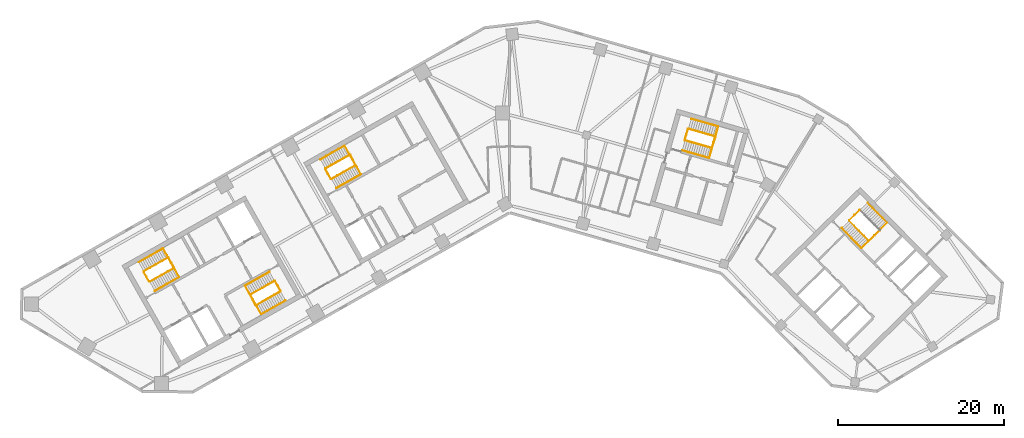
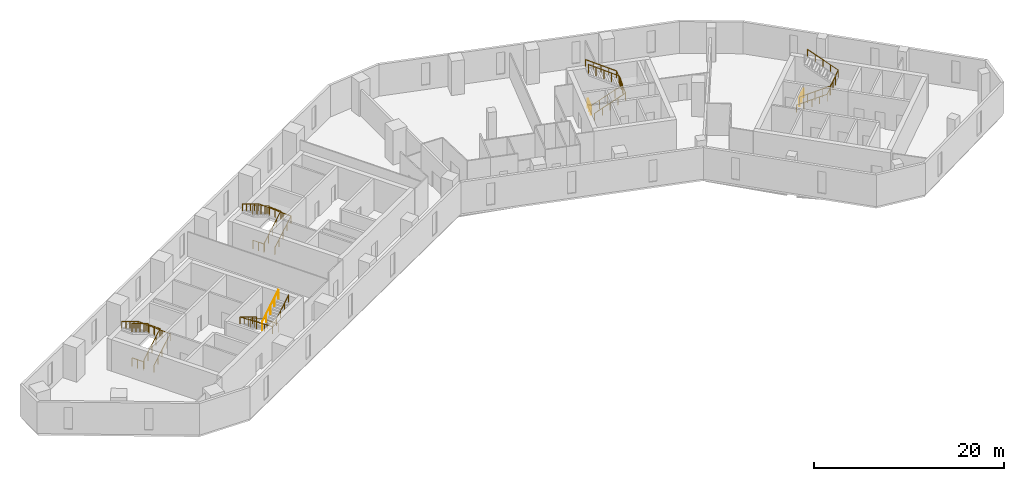
# One storey, part 9 of 10: 19 railings.
"""IFC4 building model written with IfcOpenShell, lengths in metres."""

from ifc_helpers import new_model, si_unit, direction, frame, origin, origin_2d, place, context, subcontext, project, spatial, circle, extrude, material, type_object, element, save


model = new_model("IFC4")

# Units and contexts
model_context = context("Model", 3, precision=1e-05, world=origin(), true_north=direction((0.0, 1.0)))
body_context = subcontext(model_context, "Body", "Model", "MODEL_VIEW")
ifc_project = project(units=[si_unit("LENGTHUNIT", "METRE"), si_unit("AREAUNIT", "SQUARE_METRE"), si_unit("VOLUMEUNIT", "CUBIC_METRE"), si_unit("PLANEANGLEUNIT", "RADIAN"), si_unit("MASSUNIT", "GRAM", prefix="KILO")], contexts=[model_context])

# Site, building, storey
site_placement = place(None, origin())
site = spatial("IfcSite", under=ifc_project, at=site_placement, CompositionType="ELEMENT")
building_placement = place(site_placement, origin())
building = spatial("IfcBuilding", under=site, at=building_placement, Name="Binnacle Exchange Tower", CompositionType="ELEMENT")
storey_placement = place(building_placement, frame((0.0, 0.0, 101.5)))
storey = spatial("IfcBuildingStorey", under=building, at=storey_placement, Name="L20", CompositionType="ELEMENT", Elevation=101.5)

# Railings
ifc_material_1 = material(Name="Steel guard rail", Category="steel")
railing_type_1 = type_object("IfcRailingType", Name="STAIR GUARD 1100", PredefinedType="GUARDRAIL", material=ifc_material_1)
railing_1_placement = place(storey_placement, frame((-43.26171875, 39.71728515625, 0.169189453125)))
element("IfcRailing", 1, at=railing_1_placement, inside=storey, type_object=railing_type_1, Name="L20 STA1 stair guard 1", PredefinedType="GUARDRAIL", context=body_context, shape_type="SweptSolid", body=[
    extrude(circle(Radius=0.02392578125, at=origin_2d()), frame((0.0, 0.0, 1.076171875), z_axis=(0.744867460262, 0.421436531824, 0.517265614832), x_axis=(-0.492433119026, 0.870350287693, 0.0)), (0.0, 0.0, 1.0), 3.926025390625),
    extrude(circle(Radius=0.02392578125, at=origin_2d()), frame((2.92431640625, 1.654541015625, 3.10693359375), z_axis=(-0.460963092712, 0.887419307406, 0.0), x_axis=(-0.887419307406, -0.460963092712, 0.0)), (0.0, 0.0, 1.0), 1.40087890625),
    extrude(circle(Radius=0.02099609375, at=origin_2d()), origin(), (0.0, 0.0, 1.0), 1.052001953125),
    extrude(circle(Radius=0.02099609375, at=origin_2d()), frame((0.73095703125, 0.41357421875, 0.5078125)), (0.0, 0.0, 1.0), 1.052001953125),
    extrude(circle(Radius=0.02099609375, at=origin_2d()), frame((1.462158203125, 0.8271484375, 1.015380859375)), (0.0, 0.0, 1.0), 1.052001953125),
    extrude(circle(Radius=0.02099609375, at=origin_2d()), frame((2.193359375, 1.240966796875, 1.52294921875)), (0.0, 0.0, 1.0), 1.052001953125),
    extrude(circle(Radius=0.02099609375, at=origin_2d()), frame((2.92431640625, 1.654541015625, 2.03076171875)), (0.0, 0.0, 1.0), 1.052001953125),
    extrude(circle(Radius=0.02099609375, at=origin_2d()), frame((2.6015625, 2.276123046875, 2.03076171875)), (0.0, 0.0, 1.0), 1.052001953125),
    extrude(circle(Radius=0.02099609375, at=origin_2d()), frame((2.278564453125, 2.897705078125, 2.03076171875)), (0.0, 0.0, 1.0), 1.052001953125),
])
railing_2_placement = place(storey_placement, frame((-41.05126953125, 42.6337890625, 2.369140625)))
element("IfcRailing", 2, at=railing_2_placement, inside=storey, type_object=railing_type_1, Name="L20 STA1 stair guard 2", PredefinedType="GUARDRAIL", context=body_context, shape_type="SweptSolid", body=[
    extrude(circle(Radius=0.02392578125, at=origin_2d()), frame((0.0, 0.0, 1.076171875), z_axis=(-0.744895141965, -0.421417011194, 0.517241655469), x_axis=(0.49240197835, -0.870367905955, 0.0)), (0.0, 0.0, 1.0), 3.926025390625),
    extrude(circle(Radius=0.02099609375, at=origin_2d()), origin(), (0.0, 0.0, 1.0), 1.052001953125),
    extrude(circle(Radius=0.02099609375, at=origin_2d()), frame((-0.731201171875, -0.41357421875, 0.5078125)), (0.0, 0.0, 1.0), 1.052001953125),
    extrude(circle(Radius=0.02099609375, at=origin_2d()), frame((-1.46240234375, -0.8271484375, 1.015380859375)), (0.0, 0.0, 1.0), 1.052001953125),
    extrude(circle(Radius=0.02099609375, at=origin_2d()), frame((-2.193359375, -1.240966796875, 1.52294921875)), (0.0, 0.0, 1.0), 1.052001953125),
    extrude(circle(Radius=0.02099609375, at=origin_2d()), frame((-2.924560546875, -1.654541015625, 2.03076171875)), (0.0, 0.0, 1.0), 1.052001953125),
])
railing_3_placement = place(storey_placement, frame((-43.329833984375, 39.736328125, 0.0)))
element("IfcRailing", 3, at=railing_3_placement, inside=storey, type_object=railing_type_1, Name="L20 STA1 stair guard 3", PredefinedType="GUARDRAIL", context=body_context, shape_type="SweptSolid", body=[
    extrude(circle(Radius=0.02392578125, at=origin_2d()), frame((0.0, 0.0, 1.076171875), z_axis=(-0.4924922531, 0.870316827734, 0.0), x_axis=(-0.870316827734, -0.4924922531, 0.0)), (0.0, 0.0, 1.0), 1.349853515625),
    extrude(circle(Radius=0.02099609375, at=origin_2d()), origin(), (0.0, 0.0, 1.0), 1.052001953125),
    extrude(circle(Radius=0.02099609375, at=origin_2d()), frame((-0.33251953125, 0.58740234375, 0.0)), (0.0, 0.0, 1.0), 1.052001953125),
    extrude(circle(Radius=0.02099609375, at=origin_2d()), frame((-0.664794921875, 1.1748046875, 0.0)), (0.0, 0.0, 1.0), 1.052001953125),
])
railing_4_placement = place(storey_placement, frame((-28.265380859375, 39.814453125, 0.169189453125)))
element("IfcRailing", 4, at=railing_4_placement, inside=storey, type_object=railing_type_1, Name="L20 STA2 stair guard 1", PredefinedType="GUARDRAIL", context=body_context, shape_type="SweptSolid", body=[
    extrude(circle(Radius=0.02392578125, at=origin_2d()), frame((0.0, 0.0, 1.076171875), z_axis=(-0.744895141965, -0.421417011194, 0.517241655469), x_axis=(0.49240197835, -0.870367905955, 0.0)), (0.0, 0.0, 1.0), 3.926025390625),
    extrude(circle(Radius=0.02392578125, at=origin_2d()), frame((-2.924560546875, -1.654541015625, 3.10693359375), z_axis=(0.461100321709, -0.887348011391, 0.0), x_axis=(0.887348011391, 0.461100321709, 0.0)), (0.0, 0.0, 1.0), 1.40087890625),
    extrude(circle(Radius=0.02099609375, at=origin_2d()), origin(), (0.0, 0.0, 1.0), 1.052001953125),
    extrude(circle(Radius=0.02099609375, at=origin_2d()), frame((-0.731201171875, -0.41357421875, 0.5078125)), (0.0, 0.0, 1.0), 1.052001953125),
    extrude(circle(Radius=0.02099609375, at=origin_2d()), frame((-1.46240234375, -0.8271484375, 1.015380859375)), (0.0, 0.0, 1.0), 1.052001953125),
    extrude(circle(Radius=0.02099609375, at=origin_2d()), frame((-2.193359375, -1.240966796875, 1.52294921875)), (0.0, 0.0, 1.0), 1.052001953125),
    extrude(circle(Radius=0.02099609375, at=origin_2d()), frame((-2.924560546875, -1.654541015625, 2.03076171875)), (0.0, 0.0, 1.0), 1.052001953125),
    extrude(circle(Radius=0.02099609375, at=origin_2d()), frame((-2.6015625, -2.276123046875, 2.03076171875)), (0.0, 0.0, 1.0), 1.052001953125),
    extrude(circle(Radius=0.02099609375, at=origin_2d()), frame((-2.278564453125, -2.897705078125, 2.03076171875)), (0.0, 0.0, 1.0), 1.052001953125),
])
railing_5_placement = place(storey_placement, frame((-30.475830078125, 36.89794921875, 2.369140625)))
element("IfcRailing", 5, at=railing_5_placement, inside=storey, type_object=railing_type_1, Name="L20 STA2 stair guard 2", PredefinedType="GUARDRAIL", context=body_context, shape_type="SweptSolid", body=[
    extrude(circle(Radius=0.02392578125, at=origin_2d()), frame((0.0, 0.0, 1.076171875), z_axis=(0.744867460262, 0.421436531824, 0.517265614832), x_axis=(-0.492433119026, 0.870350287693, 0.0)), (0.0, 0.0, 1.0), 3.926025390625),
    extrude(circle(Radius=0.02099609375, at=origin_2d()), origin(), (0.0, 0.0, 1.0), 1.052001953125),
    extrude(circle(Radius=0.02099609375, at=origin_2d()), frame((0.73095703125, 0.41357421875, 0.5078125)), (0.0, 0.0, 1.0), 1.052001953125),
    extrude(circle(Radius=0.02099609375, at=origin_2d()), frame((1.462158203125, 0.8271484375, 1.015380859375)), (0.0, 0.0, 1.0), 1.052001953125),
    extrude(circle(Radius=0.02099609375, at=origin_2d()), frame((2.193359375, 1.240966796875, 1.52294921875)), (0.0, 0.0, 1.0), 1.052001953125),
    extrude(circle(Radius=0.02099609375, at=origin_2d()), frame((2.92431640625, 1.654541015625, 2.03076171875)), (0.0, 0.0, 1.0), 1.052001953125),
])
railing_6_placement = place(storey_placement, frame((-28.197265625, 39.795654296875, 0.0)))
element("IfcRailing", 6, at=railing_6_placement, inside=storey, type_object=railing_type_1, Name="L20 STA2 stair guard 3", PredefinedType="GUARDRAIL", context=body_context, shape_type="SweptSolid", body=[
    extrude(circle(Radius=0.02392578125, at=origin_2d()), frame((0.0, 0.0, 1.076171875), z_axis=(0.49241474071, -0.870360685654, 0.0), x_axis=(0.870360685654, 0.49241474071, 0.0)), (0.0, 0.0, 1.0), 1.35009765625),
    extrude(circle(Radius=0.02099609375, at=origin_2d()), origin(), (0.0, 0.0, 1.0), 1.052001953125),
    extrude(circle(Radius=0.02099609375, at=origin_2d()), frame((0.33251953125, -0.58740234375, 0.0)), (0.0, 0.0, 1.0), 1.052001953125),
    extrude(circle(Radius=0.02099609375, at=origin_2d()), frame((0.664794921875, -1.175048828125, 0.0)), (0.0, 0.0, 1.0), 1.052001953125),
])
railing_7_placement = place(storey_placement, frame((40.822509765625, 47.046875, 0.169189453125)))
element("IfcRailing", 7, at=railing_7_placement, inside=storey, type_object=railing_type_1, Name="L20 STB1 stair guard 1", PredefinedType="GUARDRAIL", context=body_context, shape_type="SweptSolid", body=[
    extrude(circle(Radius=0.02392578125, at=origin_2d()), frame((0.0, 0.0, 1.076171875), z_axis=(0.599850224077, -0.610421915772, 0.51726665601), x_axis=(0.713256128111, 0.700903485305, 0.0)), (0.0, 0.0, 1.0), 3.926025390625),
    extrude(circle(Radius=0.02392578125, at=origin_2d()), frame((2.35498046875, -2.396484375, 3.10693359375), z_axis=(0.732527851538, 0.680737061369, 0.0), x_axis=(-0.680737061369, 0.732527851538, 0.0)), (0.0, 0.0, 1.0), 1.80078125),
    extrude(circle(Radius=0.02099609375, at=origin_2d()), origin(), (0.0, 0.0, 1.0), 1.052001953125),
    extrude(circle(Radius=0.02099609375, at=origin_2d()), frame((0.5888671875, -0.59912109375, 0.5078125)), (0.0, 0.0, 1.0), 1.052001953125),
    extrude(circle(Radius=0.02099609375, at=origin_2d()), frame((1.177490234375, -1.1982421875, 1.015380859375)), (0.0, 0.0, 1.0), 1.052001953125),
    extrude(circle(Radius=0.02099609375, at=origin_2d()), frame((1.76611328125, -1.79736328125, 1.52294921875)), (0.0, 0.0, 1.0), 1.052001953125),
    extrude(circle(Radius=0.02099609375, at=origin_2d()), frame((2.35498046875, -2.396484375, 2.03076171875)), (0.0, 0.0, 1.0), 1.052001953125),
    extrude(circle(Radius=0.02099609375, at=origin_2d()), frame((3.0146484375, -1.78369140625, 2.03076171875)), (0.0, 0.0, 1.0), 1.052001953125),
    extrude(circle(Radius=0.02099609375, at=origin_2d()), frame((3.674072265625, -1.170654296875, 2.03076171875)), (0.0, 0.0, 1.0), 1.052001953125),
])
railing_8_placement = place(storey_placement, frame((40.8232421875, 47.117431640625, 0.0)))
element("IfcRailing", 8, at=railing_8_placement, inside=storey, type_object=railing_type_1, Name="L20 STB1 stair guard 3", PredefinedType="GUARDRAIL", context=body_context, shape_type="SweptSolid", body=[
    extrude(circle(Radius=0.02392578125, at=origin_2d()), frame((0.0, 0.0, 1.076171875), z_axis=(0.713218950569, 0.700941316052, 0.0), x_axis=(-0.700941316052, 0.713218950569, 0.0)), (0.0, 0.0, 1.0), 1.75),
    extrude(circle(Radius=0.02099609375, at=origin_2d()), origin(), (0.0, 0.0, 1.0), 1.052001953125),
    extrude(circle(Radius=0.02099609375, at=origin_2d()), frame((0.6240234375, 0.61328125, 0.0)), (0.0, 0.0, 1.0), 1.052001953125),
    extrude(circle(Radius=0.02099609375, at=origin_2d()), frame((1.248046875, 1.2265625, 0.0)), (0.0, 0.0, 1.0), 1.052001953125),
])
railing_9_placement = place(storey_placement, frame((-21.423828125, 52.07275390625, 0.169189453125)))
element("IfcRailing", 9, at=railing_9_placement, inside=storey, type_object=railing_type_1, Name="L20 STC1 stair guard 1", PredefinedType="GUARDRAIL", context=body_context, shape_type="SweptSolid", body=[
    extrude(circle(Radius=0.02392578125, at=origin_2d()), frame((0.0, 0.0, 1.076171875), z_axis=(0.744895141965, 0.421417011194, 0.517241655469), x_axis=(-0.49240197835, 0.870367905955, 0.0)), (0.0, 0.0, 1.0), 3.926025390625),
    extrude(circle(Radius=0.02392578125, at=origin_2d()), frame((2.924560546875, 1.654541015625, 3.10693359375), z_axis=(-0.461171632143, 0.887310952094, 0.0), x_axis=(-0.887310952094, -0.461171632143, 0.0)), (0.0, 0.0, 1.0), 1.40087890625),
    extrude(circle(Radius=0.02099609375, at=origin_2d()), origin(), (0.0, 0.0, 1.0), 1.052001953125),
    extrude(circle(Radius=0.02099609375, at=origin_2d()), frame((0.731201171875, 0.41357421875, 0.5078125)), (0.0, 0.0, 1.0), 1.052001953125),
    extrude(circle(Radius=0.02099609375, at=origin_2d()), frame((1.46240234375, 0.8271484375, 1.015380859375)), (0.0, 0.0, 1.0), 1.052001953125),
    extrude(circle(Radius=0.02099609375, at=origin_2d()), frame((2.193359375, 1.240966796875, 1.52294921875)), (0.0, 0.0, 1.0), 1.052001953125),
    extrude(circle(Radius=0.02099609375, at=origin_2d()), frame((2.924560546875, 1.654541015625, 2.03076171875)), (0.0, 0.0, 1.0), 1.052001953125),
    extrude(circle(Radius=0.02099609375, at=origin_2d()), frame((2.6015625, 2.27587890625, 2.03076171875)), (0.0, 0.0, 1.0), 1.052001953125),
    extrude(circle(Radius=0.02099609375, at=origin_2d()), frame((2.278564453125, 2.8974609375, 2.03076171875)), (0.0, 0.0, 1.0), 1.052001953125),
])
railing_10_placement = place(storey_placement, frame((-19.21337890625, 54.9892578125, 2.369140625)))
element("IfcRailing", 10, at=railing_10_placement, inside=storey, type_object=railing_type_1, Name="L20 STC1 stair guard 2", PredefinedType="GUARDRAIL", context=body_context, shape_type="SweptSolid", body=[
    extrude(circle(Radius=0.02392578125, at=origin_2d()), frame((0.0, 0.0, 1.076171875), z_axis=(-0.744867460262, -0.421436531824, 0.517265614832), x_axis=(0.492433119026, -0.870350287693, 0.0)), (0.0, 0.0, 1.0), 3.926025390625),
    extrude(circle(Radius=0.02099609375, at=origin_2d()), origin(), (0.0, 0.0, 1.0), 1.052001953125),
    extrude(circle(Radius=0.02099609375, at=origin_2d()), frame((-0.73095703125, -0.41357421875, 0.5078125)), (0.0, 0.0, 1.0), 1.052001953125),
    extrude(circle(Radius=0.02099609375, at=origin_2d()), frame((-1.462158203125, -0.8271484375, 1.015380859375)), (0.0, 0.0, 1.0), 1.052001953125),
    extrude(circle(Radius=0.02099609375, at=origin_2d()), frame((-2.193359375, -1.240966796875, 1.52294921875)), (0.0, 0.0, 1.0), 1.052001953125),
    extrude(circle(Radius=0.02099609375, at=origin_2d()), frame((-2.92431640625, -1.654541015625, 2.03076171875)), (0.0, 0.0, 1.0), 1.052001953125),
])
railing_11_placement = place(storey_placement, frame((-21.491943359375, 52.091552734375, 0.0)))
element("IfcRailing", 11, at=railing_11_placement, inside=storey, type_object=railing_type_1, Name="L20 STC1 stair guard 3", PredefinedType="GUARDRAIL", context=body_context, shape_type="SweptSolid", body=[
    extrude(circle(Radius=0.02392578125, at=origin_2d()), frame((0.0, 0.0, 1.076171875), z_axis=(-0.49241474071, 0.870360685654, 0.0), x_axis=(-0.870360685654, -0.49241474071, 0.0)), (0.0, 0.0, 1.0), 1.35009765625),
    extrude(circle(Radius=0.02099609375, at=origin_2d()), origin(), (0.0, 0.0, 1.0), 1.052001953125),
    extrude(circle(Radius=0.02099609375, at=origin_2d()), frame((-0.33251953125, 0.58740234375, 0.0)), (0.0, 0.0, 1.0), 1.052001953125),
    extrude(circle(Radius=0.02099609375, at=origin_2d()), frame((-0.664794921875, 1.175048828125, 0.0)), (0.0, 0.0, 1.0), 1.052001953125),
])
railing_12_placement = place(storey_placement, frame((21.086669921875, 56.71044921875, 0.169189453125)))
element("IfcRailing", 12, at=railing_12_placement, inside=storey, type_object=railing_type_1, Name="L20 STD1 stair guard 1", PredefinedType="GUARDRAIL", context=body_context, shape_type="SweptSolid", body=[
    extrude(circle(Radius=0.02392578125, at=origin_2d()), frame((0.0, 0.0, 1.076171875), z_axis=(0.82266146106, -0.235934506256, 0.517264950721), x_axis=(0.27568068152, 0.961249271436, 0.0)), (0.0, 0.0, 1.0), 3.926025390625),
    extrude(circle(Radius=0.02392578125, at=origin_2d()), frame((3.229736328125, -0.92626953125, 3.10693359375), z_axis=(0.309842533299, 0.950787886208, 0.0), x_axis=(-0.950787886208, 0.309842533299, 0.0)), (0.0, 0.0, 1.0), 1.40087890625),
    extrude(circle(Radius=0.02099609375, at=origin_2d()), origin(), (0.0, 0.0, 1.0), 1.052001953125),
    extrude(circle(Radius=0.02099609375, at=origin_2d()), frame((0.807373046875, -0.2314453125, 0.5078125)), (0.0, 0.0, 1.0), 1.052001953125),
    extrude(circle(Radius=0.02099609375, at=origin_2d()), frame((1.61474609375, -0.463134765625, 1.015380859375)), (0.0, 0.0, 1.0), 1.052001953125),
    extrude(circle(Radius=0.02099609375, at=origin_2d()), frame((2.42236328125, -0.69482421875, 1.52294921875)), (0.0, 0.0, 1.0), 1.052001953125),
    extrude(circle(Radius=0.02099609375, at=origin_2d()), frame((3.229736328125, -0.92626953125, 2.03076171875)), (0.0, 0.0, 1.0), 1.052001953125),
    extrude(circle(Radius=0.02099609375, at=origin_2d()), frame((3.44677734375, -0.26025390625, 2.03076171875)), (0.0, 0.0, 1.0), 1.052001953125),
    extrude(circle(Radius=0.02099609375, at=origin_2d()), frame((3.663818359375, 0.40576171875, 2.03076171875)), (0.0, 0.0, 1.0), 1.052001953125),
])
railing_13_placement = place(storey_placement, frame((24.716064453125, 57.177978515625, 2.369140625)))
element("IfcRailing", 13, at=railing_13_placement, inside=storey, type_object=railing_type_1, Name="L20 STD1 stair guard 2", PredefinedType="GUARDRAIL", context=body_context, shape_type="SweptSolid", body=[
    extrude(circle(Radius=0.02392578125, at=origin_2d()), frame((0.0, 0.0, 1.076171875), z_axis=(-0.82266146106, 0.235934506256, 0.517264950721), x_axis=(-0.27568068152, -0.961249271436, 0.0)), (0.0, 0.0, 1.0), 3.926025390625),
    extrude(circle(Radius=0.02099609375, at=origin_2d()), origin(), (0.0, 0.0, 1.0), 1.052001953125),
    extrude(circle(Radius=0.02099609375, at=origin_2d()), frame((-0.807373046875, 0.2314453125, 0.5078125)), (0.0, 0.0, 1.0), 1.052001953125),
    extrude(circle(Radius=0.02099609375, at=origin_2d()), frame((-1.61474609375, 0.463134765625, 1.015380859375)), (0.0, 0.0, 1.0), 1.052001953125),
    extrude(circle(Radius=0.02099609375, at=origin_2d()), frame((-2.42236328125, 0.69482421875, 1.52294921875)), (0.0, 0.0, 1.0), 1.052001953125),
    extrude(circle(Radius=0.02099609375, at=origin_2d()), frame((-3.229736328125, 0.92626953125, 2.03076171875)), (0.0, 0.0, 1.0), 1.052001953125),
])
railing_14_placement = place(storey_placement, frame((21.05224609375, 56.772216796875, 0.0)))
element("IfcRailing", 14, at=railing_14_placement, inside=storey, type_object=railing_type_1, Name="L20 STD1 stair guard 3", PredefinedType="GUARDRAIL", context=body_context, shape_type="SweptSolid", body=[
    extrude(circle(Radius=0.02392578125, at=origin_2d()), frame((0.0, 0.0, 1.076171875), z_axis=(0.275795817769, 0.961216243569, 0.0), x_axis=(-0.961216243569, 0.275795817769, 0.0)), (0.0, 0.0, 1.0), 1.349853515625),
    extrude(circle(Radius=0.02099609375, at=origin_2d()), origin(), (0.0, 0.0, 1.0), 1.052001953125),
    extrude(circle(Radius=0.02099609375, at=origin_2d()), frame((0.18603515625, 0.64892578125, 0.0)), (0.0, 0.0, 1.0), 1.052001953125),
    extrude(circle(Radius=0.02099609375, at=origin_2d()), frame((0.372314453125, 1.297607421875, 0.0)), (0.0, 0.0, 1.0), 1.052001953125),
])
ifc_material_2 = material(Name="Steel handrail", Category="steel")
railing_type_2 = type_object("IfcRailingType", Name="STAIR HANDRAIL 900", PredefinedType="HANDRAIL", material=ifc_material_2)
railing_15_placement = place(storey_placement, frame((-42.646240234375, 38.62939453125, 0.169189453125)))
element("IfcRailing", 15, at=railing_15_placement, inside=storey, type_object=railing_type_2, Name="L20 STA1 stair handrail 1", PredefinedType="HANDRAIL", context=body_context, shape_type="SweptSolid", body=[
    extrude(circle(Radius=0.02392578125, at=origin_2d()), frame((0.0, 0.0, 0.8759765625), z_axis=(0.744867460262, 0.421436531824, 0.517265614832), x_axis=(-0.492433119026, 0.870350287693, 0.0)), (0.0, 0.0, 1.0), 3.926025390625),
    extrude(circle(Radius=0.02392578125, at=origin_2d()), frame((2.92431640625, 1.654541015625, 2.90673828125), z_axis=(-0.491962556146, 0.869564041126, 0.04279277663), x_axis=(-0.870361318571, -0.492413622004, 0.0)), (0.0, 0.0, 1.0), 3.95361328125),
    extrude(circle(Radius=0.02392578125, at=origin_2d()), frame((0.979248046875, 5.092529296875, 3.07568359375), z_axis=(-0.744867460262, -0.421436531824, 0.517265614832), x_axis=(0.492433119026, -0.870350287693, 0.0)), (0.0, 0.0, 1.0), 3.926025390625),
    extrude(circle(Radius=0.02099609375, at=origin_2d()), origin(), (0.0, 0.0, 1.0), 0.851806640625),
    extrude(circle(Radius=0.02099609375, at=origin_2d()), frame((0.73095703125, 0.41357421875, 0.5078125)), (0.0, 0.0, 1.0), 0.851806640625),
    extrude(circle(Radius=0.02099609375, at=origin_2d()), frame((1.462158203125, 0.8271484375, 1.015380859375)), (0.0, 0.0, 1.0), 0.851806640625),
    extrude(circle(Radius=0.02099609375, at=origin_2d()), frame((2.193359375, 1.240966796875, 1.52294921875)), (0.0, 0.0, 1.0), 0.851806640625),
    extrude(circle(Radius=0.02099609375, at=origin_2d()), frame((2.92431640625, 1.654541015625, 2.03076171875)), (0.0, 0.0, 1.0), 0.851806640625),
    extrude(circle(Radius=0.02099609375, at=origin_2d()), frame((2.43798828125, 2.51416015625, 2.072998046875)), (0.0, 0.0, 1.0), 0.851806640625),
    extrude(circle(Radius=0.02099609375, at=origin_2d()), frame((1.95166015625, 3.37353515625, 2.115234375)), (0.0, 0.0, 1.0), 0.851806640625),
    extrude(circle(Radius=0.02099609375, at=origin_2d()), frame((1.465576171875, 4.23291015625, 2.15771484375)), (0.0, 0.0, 1.0), 0.851806640625),
    extrude(circle(Radius=0.02099609375, at=origin_2d()), frame((0.979248046875, 5.092529296875, 2.199951171875)), (0.0, 0.0, 1.0), 0.851806640625),
    extrude(circle(Radius=0.02099609375, at=origin_2d()), frame((0.248046875, 4.678955078125, 2.70751953125)), (0.0, 0.0, 1.0), 0.851806640625),
    extrude(circle(Radius=0.02099609375, at=origin_2d()), frame((-0.48291015625, 4.26513671875, 3.21533203125)), (0.0, 0.0, 1.0), 0.851806640625),
    extrude(circle(Radius=0.02099609375, at=origin_2d()), frame((-1.2138671875, 3.8515625, 3.72314453125)), (0.0, 0.0, 1.0), 0.851806640625),
    extrude(circle(Radius=0.02099609375, at=origin_2d()), frame((-1.945068359375, 3.43798828125, 4.230712890625)), (0.0, 0.0, 1.0), 0.851806640625),
])
railing_16_placement = place(storey_placement, frame((-28.880859375, 40.90234375, 0.169189453125)))
element("IfcRailing", 16, at=railing_16_placement, inside=storey, type_object=railing_type_2, Name="L20 STA2 stair handrail 1", PredefinedType="HANDRAIL", context=body_context, shape_type="SweptSolid", body=[
    extrude(circle(Radius=0.02392578125, at=origin_2d()), frame((0.0, 0.0, 0.8759765625), z_axis=(-0.744895141965, -0.421417011194, 0.517241655469), x_axis=(0.49240197835, -0.870367905955, 0.0)), (0.0, 0.0, 1.0), 3.926025390625),
    extrude(circle(Radius=0.02392578125, at=origin_2d()), frame((-2.924560546875, -1.654541015625, 2.90673828125), z_axis=(0.491988973567, -0.869548981648, 0.042795074518), x_axis=(0.87034633103, 0.492440112159, 0.0)), (0.0, 0.0, 1.0), 3.953369140625),
    extrude(circle(Radius=0.02392578125, at=origin_2d()), frame((-0.9794921875, -5.09228515625, 3.07568359375), z_axis=(0.744895141965, 0.421417011194, 0.517241655469), x_axis=(-0.49240197835, 0.870367905955, 0.0)), (0.0, 0.0, 1.0), 3.926025390625),
    extrude(circle(Radius=0.02099609375, at=origin_2d()), origin(), (0.0, 0.0, 1.0), 0.851806640625),
    extrude(circle(Radius=0.02099609375, at=origin_2d()), frame((-0.731201171875, -0.41357421875, 0.5078125)), (0.0, 0.0, 1.0), 0.851806640625),
    extrude(circle(Radius=0.02099609375, at=origin_2d()), frame((-1.46240234375, -0.8271484375, 1.015380859375)), (0.0, 0.0, 1.0), 0.851806640625),
    extrude(circle(Radius=0.02099609375, at=origin_2d()), frame((-2.193359375, -1.240966796875, 1.52294921875)), (0.0, 0.0, 1.0), 0.851806640625),
    extrude(circle(Radius=0.02099609375, at=origin_2d()), frame((-2.924560546875, -1.654541015625, 2.03076171875)), (0.0, 0.0, 1.0), 0.851806640625),
    extrude(circle(Radius=0.02099609375, at=origin_2d()), frame((-2.438232421875, -2.513916015625, 2.072998046875)), (0.0, 0.0, 1.0), 0.851806640625),
    extrude(circle(Radius=0.02099609375, at=origin_2d()), frame((-1.9521484375, -3.37353515625, 2.115234375)), (0.0, 0.0, 1.0), 0.851806640625),
    extrude(circle(Radius=0.02099609375, at=origin_2d()), frame((-1.4658203125, -4.23291015625, 2.15771484375)), (0.0, 0.0, 1.0), 0.851806640625),
    extrude(circle(Radius=0.02099609375, at=origin_2d()), frame((-0.9794921875, -5.09228515625, 2.199951171875)), (0.0, 0.0, 1.0), 0.851806640625),
    extrude(circle(Radius=0.02099609375, at=origin_2d()), frame((-0.248291015625, -4.6787109375, 2.70751953125)), (0.0, 0.0, 1.0), 0.851806640625),
    extrude(circle(Radius=0.02099609375, at=origin_2d()), frame((0.48291015625, -4.26513671875, 3.21533203125)), (0.0, 0.0, 1.0), 0.851806640625),
    extrude(circle(Radius=0.02099609375, at=origin_2d()), frame((1.2138671875, -3.851318359375, 3.72314453125)), (0.0, 0.0, 1.0), 0.851806640625),
    extrude(circle(Radius=0.02099609375, at=origin_2d()), frame((1.945068359375, -3.437744140625, 4.230712890625)), (0.0, 0.0, 1.0), 0.851806640625),
])
railing_17_placement = place(storey_placement, frame((39.930908203125, 46.170654296875, 0.169189453125)))
element("IfcRailing", 17, at=railing_17_placement, inside=storey, type_object=railing_type_2, Name="L20 STB1 stair handrail 1", PredefinedType="HANDRAIL", context=body_context, shape_type="SweptSolid", body=[
    extrude(circle(Radius=0.02392578125, at=origin_2d()), frame((0.0, 0.0, 0.8759765625), z_axis=(0.599890032335, -0.610399145579, 0.51724736073), x_axis=(0.713219803244, 0.700940448441, 0.0)), (0.0, 0.0, 1.0), 3.926025390625),
    extrude(circle(Radius=0.02392578125, at=origin_2d()), frame((2.355224609375, -2.396484375, 2.90673828125), z_axis=(0.712714810107, 0.700376341566, 0.038866175905), x_axis=(-0.700905928746, 0.713253726978, 0.0)), (0.0, 0.0, 1.0), 4.35302734375),
    extrude(circle(Radius=0.02392578125, at=origin_2d()), frame((5.457763671875, 0.65234375, 3.07568359375), z_axis=(-0.599827453926, 0.610460928384, 0.517247020709), x_axis=(-0.713291821981, -0.70086716052, 0.0)), (0.0, 0.0, 1.0), 3.926025390625),
    extrude(circle(Radius=0.02099609375, at=origin_2d()), origin(), (0.0, 0.0, 1.0), 0.851806640625),
    extrude(circle(Radius=0.02099609375, at=origin_2d()), frame((0.5888671875, -0.59912109375, 0.5078125)), (0.0, 0.0, 1.0), 0.851806640625),
    extrude(circle(Radius=0.02099609375, at=origin_2d()), frame((1.177734375, -1.1982421875, 1.015380859375)), (0.0, 0.0, 1.0), 0.851806640625),
    extrude(circle(Radius=0.02099609375, at=origin_2d()), frame((1.766357421875, -1.79736328125, 1.52294921875)), (0.0, 0.0, 1.0), 0.851806640625),
    extrude(circle(Radius=0.02099609375, at=origin_2d()), frame((2.355224609375, -2.396484375, 2.03076171875)), (0.0, 0.0, 1.0), 0.851806640625),
    extrude(circle(Radius=0.02099609375, at=origin_2d()), frame((3.130859375, -1.63427734375, 2.072998046875)), (0.0, 0.0, 1.0), 0.851806640625),
    extrude(circle(Radius=0.02099609375, at=origin_2d()), frame((3.906494140625, -0.8720703125, 2.115234375)), (0.0, 0.0, 1.0), 0.851806640625),
    extrude(circle(Radius=0.02099609375, at=origin_2d()), frame((4.68212890625, -0.10986328125, 2.15771484375)), (0.0, 0.0, 1.0), 0.851806640625),
    extrude(circle(Radius=0.02099609375, at=origin_2d()), frame((5.457763671875, 0.65234375, 2.199951171875)), (0.0, 0.0, 1.0), 0.851806640625),
    extrude(circle(Radius=0.02099609375, at=origin_2d()), frame((4.869140625, 1.25146484375, 2.70751953125)), (0.0, 0.0, 1.0), 0.851806640625),
    extrude(circle(Radius=0.02099609375, at=origin_2d()), frame((4.2802734375, 1.8505859375, 3.21533203125)), (0.0, 0.0, 1.0), 0.851806640625),
    extrude(circle(Radius=0.02099609375, at=origin_2d()), frame((3.69140625, 2.449951171875, 3.72314453125)), (0.0, 0.0, 1.0), 0.851806640625),
    extrude(circle(Radius=0.02099609375, at=origin_2d()), frame((3.102783203125, 3.049072265625, 4.230712890625)), (0.0, 0.0, 1.0), 0.851806640625),
])
railing_18_placement = place(storey_placement, frame((-20.808349609375, 50.984619140625, 0.169189453125)))
element("IfcRailing", 18, at=railing_18_placement, inside=storey, type_object=railing_type_2, Name="L20 STC1 stair handrail 1", PredefinedType="HANDRAIL", context=body_context, shape_type="SweptSolid", body=[
    extrude(circle(Radius=0.02392578125, at=origin_2d()), frame((0.0, 0.0, 0.8759765625), z_axis=(0.744895141965, 0.421417011194, 0.517241655469), x_axis=(-0.49240197835, 0.870367905955, 0.0)), (0.0, 0.0, 1.0), 3.926025390625),
    extrude(circle(Radius=0.02392578125, at=origin_2d()), frame((2.924560546875, 1.654541015625, 2.90673828125), z_axis=(-0.491962556146, 0.869564041126, 0.04279277663), x_axis=(-0.870361318571, -0.492413622004, 0.0)), (0.0, 0.0, 1.0), 3.95361328125),
    extrude(circle(Radius=0.02392578125, at=origin_2d()), frame((0.9794921875, 5.092529296875, 3.07568359375), z_axis=(-0.744895141965, -0.421417011194, 0.517241655469), x_axis=(0.49240197835, -0.870367905955, 0.0)), (0.0, 0.0, 1.0), 3.926025390625),
    extrude(circle(Radius=0.02099609375, at=origin_2d()), origin(), (0.0, 0.0, 1.0), 0.851806640625),
    extrude(circle(Radius=0.02099609375, at=origin_2d()), frame((0.731201171875, 0.41357421875, 0.5078125)), (0.0, 0.0, 1.0), 0.851806640625),
    extrude(circle(Radius=0.02099609375, at=origin_2d()), frame((1.46240234375, 0.8271484375, 1.015380859375)), (0.0, 0.0, 1.0), 0.851806640625),
    extrude(circle(Radius=0.02099609375, at=origin_2d()), frame((2.193359375, 1.240966796875, 1.52294921875)), (0.0, 0.0, 1.0), 0.851806640625),
    extrude(circle(Radius=0.02099609375, at=origin_2d()), frame((2.924560546875, 1.654541015625, 2.03076171875)), (0.0, 0.0, 1.0), 0.851806640625),
    extrude(circle(Radius=0.02099609375, at=origin_2d()), frame((2.438232421875, 2.51416015625, 2.072998046875)), (0.0, 0.0, 1.0), 0.851806640625),
    extrude(circle(Radius=0.02099609375, at=origin_2d()), frame((1.9521484375, 3.37353515625, 2.115234375)), (0.0, 0.0, 1.0), 0.851806640625),
    extrude(circle(Radius=0.02099609375, at=origin_2d()), frame((1.4658203125, 4.23291015625, 2.15771484375)), (0.0, 0.0, 1.0), 0.851806640625),
    extrude(circle(Radius=0.02099609375, at=origin_2d()), frame((0.9794921875, 5.092529296875, 2.199951171875)), (0.0, 0.0, 1.0), 0.851806640625),
    extrude(circle(Radius=0.02099609375, at=origin_2d()), frame((0.248291015625, 4.678955078125, 2.70751953125)), (0.0, 0.0, 1.0), 0.851806640625),
    extrude(circle(Radius=0.02099609375, at=origin_2d()), frame((-0.48291015625, 4.26513671875, 3.21533203125)), (0.0, 0.0, 1.0), 0.851806640625),
    extrude(circle(Radius=0.02099609375, at=origin_2d()), frame((-1.2138671875, 3.8515625, 3.72314453125)), (0.0, 0.0, 1.0), 0.851806640625),
    extrude(circle(Radius=0.02099609375, at=origin_2d()), frame((-1.945068359375, 3.43798828125, 4.230712890625)), (0.0, 0.0, 1.0), 0.851806640625),
])
railing_19_placement = place(storey_placement, frame((20.7421875, 55.5087890625, 0.169189453125)))
element("IfcRailing", 19, at=railing_19_placement, inside=storey, type_object=railing_type_2, Name="L20 STD1 stair handrail 1", PredefinedType="HANDRAIL", context=body_context, shape_type="SweptSolid", body=[
    extrude(circle(Radius=0.02392578125, at=origin_2d()), frame((0.0, 0.0, 0.8759765625), z_axis=(0.82266146106, -0.235934506256, 0.517264950721), x_axis=(0.27568068152, 0.961249271436, 0.0)), (0.0, 0.0, 1.0), 3.926025390625),
    extrude(circle(Radius=0.02392578125, at=origin_2d()), frame((3.229736328125, -0.92626953125, 2.90673828125), z_axis=(0.275399082883, 0.960377115711, 0.042791830591), x_axis=(-0.961257617982, 0.275651576943, 0.0)), (0.0, 0.0, 1.0), 3.953857421875),
    extrude(circle(Radius=0.02392578125, at=origin_2d()), frame((4.318603515625, 2.870849609375, 3.07568359375), z_axis=(-0.822693627572, 0.235863713483, 0.517246076655), x_axis=(-0.275594289407, -0.961274043989, 0.0)), (0.0, 0.0, 1.0), 3.926025390625),
    extrude(circle(Radius=0.02099609375, at=origin_2d()), origin(), (0.0, 0.0, 1.0), 0.851806640625),
    extrude(circle(Radius=0.02099609375, at=origin_2d()), frame((0.807373046875, -0.2314453125, 0.5078125)), (0.0, 0.0, 1.0), 0.851806640625),
    extrude(circle(Radius=0.02099609375, at=origin_2d()), frame((1.61474609375, -0.463134765625, 1.015380859375)), (0.0, 0.0, 1.0), 0.851806640625),
    extrude(circle(Radius=0.02099609375, at=origin_2d()), frame((2.42236328125, -0.69482421875, 1.52294921875)), (0.0, 0.0, 1.0), 0.851806640625),
    extrude(circle(Radius=0.02099609375, at=origin_2d()), frame((3.229736328125, -0.92626953125, 2.03076171875)), (0.0, 0.0, 1.0), 0.851806640625),
    extrude(circle(Radius=0.02099609375, at=origin_2d()), frame((3.501953125, 0.02294921875, 2.072998046875)), (0.0, 0.0, 1.0), 0.851806640625),
    extrude(circle(Radius=0.02099609375, at=origin_2d()), frame((3.774169921875, 0.97216796875, 2.115234375)), (0.0, 0.0, 1.0), 0.851806640625),
    extrude(circle(Radius=0.02099609375, at=origin_2d()), frame((4.04638671875, 1.921630859375, 2.15771484375)), (0.0, 0.0, 1.0), 0.851806640625),
    extrude(circle(Radius=0.02099609375, at=origin_2d()), frame((4.318603515625, 2.870849609375, 2.199951171875)), (0.0, 0.0, 1.0), 0.851806640625),
    extrude(circle(Radius=0.02099609375, at=origin_2d()), frame((3.51123046875, 3.102294921875, 2.70751953125)), (0.0, 0.0, 1.0), 0.851806640625),
    extrude(circle(Radius=0.02099609375, at=origin_2d()), frame((2.70361328125, 3.333984375, 3.21533203125)), (0.0, 0.0, 1.0), 0.851806640625),
    extrude(circle(Radius=0.02099609375, at=origin_2d()), frame((1.89599609375, 3.5654296875, 3.72314453125)), (0.0, 0.0, 1.0), 0.851806640625),
    extrude(circle(Radius=0.02099609375, at=origin_2d()), frame((1.088623046875, 3.796875, 4.230712890625)), (0.0, 0.0, 1.0), 0.851806640625),
])

save(model, "model.ifc")
